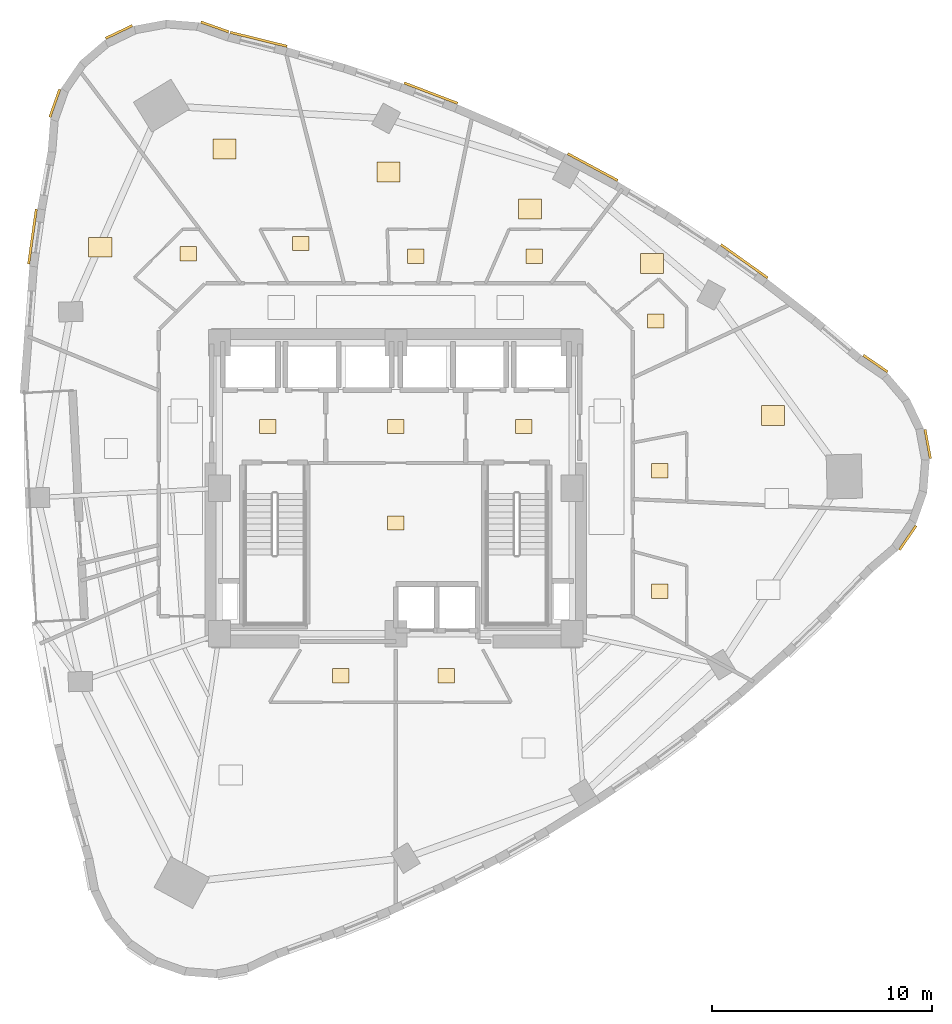
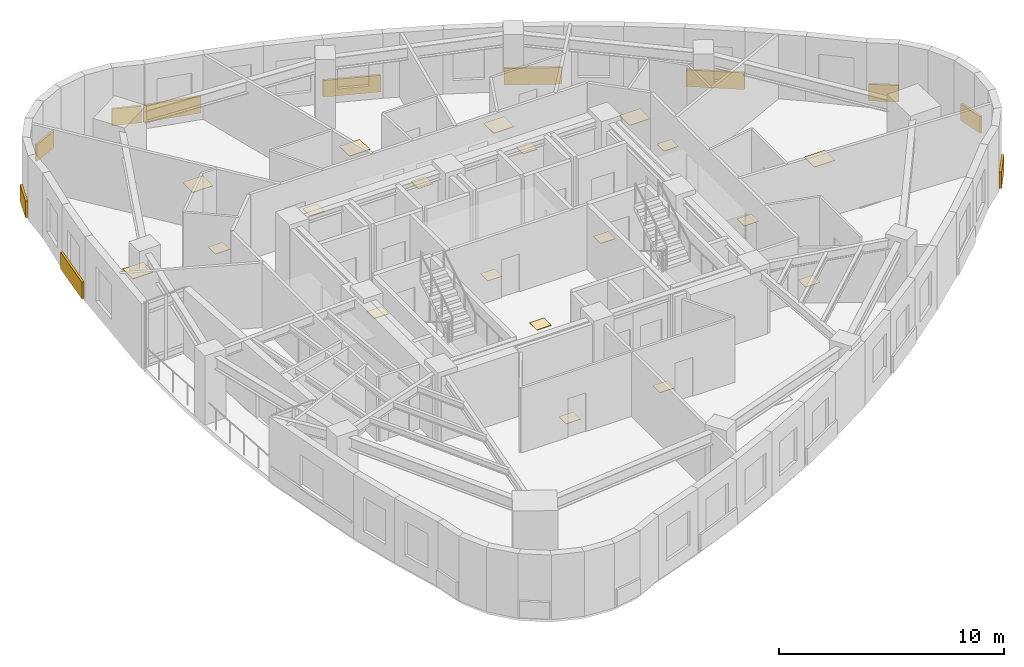
# One storey, part 12 of 12: 30 coverings.
"""IFC4 building model written with IfcOpenShell, lengths in metres."""

from ifc_helpers import new_model, si_unit, direction, frame, origin, origin_2d, place, context, subcontext, project, spatial, rectangle, extrude, material, layer, layer_set, type_object, element, save


model = new_model("IFC4")

# Units and contexts
model_context = context("Model", 3, precision=1e-05, world=origin(), true_north=direction((0.0, 1.0)))
body_context = subcontext(model_context, "Body", "Model", "MODEL_VIEW")
ifc_project = project(units=[si_unit("LENGTHUNIT", "METRE"), si_unit("AREAUNIT", "SQUARE_METRE"), si_unit("VOLUMEUNIT", "CUBIC_METRE"), si_unit("PLANEANGLEUNIT", "RADIAN"), si_unit("MASSUNIT", "GRAM", prefix="KILO")], contexts=[model_context])

# Site, building, storey
site_placement = place(None, origin())
site = spatial("IfcSite", under=ifc_project, at=site_placement, CompositionType="ELEMENT")
building_placement = place(site_placement, origin())
building = spatial("IfcBuilding", under=site, at=building_placement, Name="Ndelora Gate Hotel", CompositionType="ELEMENT")
storey_placement = place(building_placement, frame((0.0, 0.0, 138.5)))
storey = spatial("IfcBuildingStorey", under=building, at=storey_placement, Name="L34", CompositionType="ELEMENT", Elevation=138.5)

# Coverings
ifc_material_1 = material(Name="Terracotta Fired Clay Brick Slip Cladding", Category="masonry")
ifc_layer_1 = layer(ifc_material_1, 0.110107421875)
ifc_layer_set_1 = layer_set([ifc_layer_1], Name="Terracotta Fired Clay Brick Slip Cladding")
covering_type_1 = type_object("IfcCoveringType", Name="COV-CLAD-BRK", PredefinedType="CLADDING", material=ifc_layer_set_1)
for number, where, z_axis, x_axis, name in (
    (1, (-8.21044921875, 20.92626953125, 0.10009765625), (0.0, 0.0, 1.0), (-0.942641491092, 0.333806859234, 0.0), "L34 Rounded-Corner Brick Cladding Band 1"),
    (2, (-12.556884765625, 20.698486328125, 0.10009765625), (0.0, 0.0, 1.0), (0.90258528435, 0.430511096808, 0.0), "L34 Rounded-Corner Brick Cladding Band 4"),
    (3, (-15.468994140625, 17.464111328125, 0.10009765625), (0.0, 0.0, 1.0), (0.333806859234, 0.942641491092, 0.0), "L34 Rounded-Corner Brick Cladding Band 7"),
):
    element("IfcCovering", number, at=place(storey_placement, frame(where, z_axis=z_axis, x_axis=x_axis)), inside=storey, type_object=covering_type_1, Name=name, PredefinedType="CLADDING", context=body_context, shape_type="SweptSolid", body=[
        extrude(rectangle(XDim=1.3359375, YDim=0.110107421875, at=origin_2d()), origin(), (0.0, 0.0, 1.0), 0.89990234375),
    ])
covering_1_placement = place(storey_placement, frame((-16.48193359375, 11.41357421875, 0.10009765625), z_axis=(0.0, 0.0, 1.0), x_axis=(0.138654578758, 0.99034080386, 0.0)))
element("IfcCovering", 4, at=covering_1_placement, inside=storey, type_object=covering_type_1, Name="L34 Rounded-Corner Brick Cladding Band 10", PredefinedType="CLADDING", context=body_context, shape_type="SweptSolid", body=[
    extrude(rectangle(XDim=2.52001953125, YDim=0.110107421875, at=origin_2d()), origin(), (0.0, 0.0, 1.0), 0.89990234375),
])
for number, where, z_axis, x_axis, name in (
    (5, (23.22119140625, -2.24951171875, 0.10009765625), (0.0, 0.0, 1.0), (0.566406236925, 0.824126188622, 0.0), "L34 Rounded-Corner Brick Cladding Band 40"),
    (6, (24.126220703125, 2.0078125, 0.10009765625), (0.0, 0.0, 1.0), (-0.182235525492, 0.983254907564, 0.0), "L34 Rounded-Corner Brick Cladding Band 43"),
    (7, (21.755615234375, 5.65771484375, 0.10009765625), (0.0, 0.0, 1.0), (-0.824126188622, 0.566406236925, 0.0), "L34 Rounded-Corner Brick Cladding Band 46"),
):
    element("IfcCovering", number, at=place(storey_placement, frame(where, z_axis=z_axis, x_axis=x_axis)), inside=storey, type_object=covering_type_1, Name=name, PredefinedType="CLADDING", context=body_context, shape_type="SweptSolid", body=[
        extrude(rectangle(XDim=1.3359375, YDim=0.110107421875, at=origin_2d()), origin(), (0.0, 0.0, 1.0), 0.89990234375),
    ])
covering_2_placement = place(storey_placement, frame((15.8076171875, 10.294921875, 0.10009765625), z_axis=(0.0, 0.0, 1.0), x_axis=(-0.814520727071, 0.580134454392, 0.0)))
element("IfcCovering", 8, at=covering_2_placement, inside=storey, type_object=covering_type_1, Name="L34 Rounded-Corner Brick Cladding Band 49", PredefinedType="CLADDING", context=body_context, shape_type="SweptSolid", body=[
    extrude(rectangle(XDim=2.60791015625, YDim=0.110107421875, at=origin_2d()), origin(), (0.0, 0.0, 1.0), 0.89990234375),
])
covering_3_placement = place(storey_placement, frame((8.931640625, 14.568115234375, 0.10009765625), z_axis=(0.0, 0.0, 1.0), x_axis=(-0.881138447042, 0.472858369012, 0.0)))
element("IfcCovering", 9, at=covering_3_placement, inside=storey, type_object=covering_type_1, Name="L34 Rounded-Corner Brick Cladding Band 52", PredefinedType="CLADDING", context=body_context, shape_type="SweptSolid", body=[
    extrude(rectangle(XDim=2.580078125, YDim=0.110107421875, at=origin_2d()), origin(), (0.0, 0.0, 1.0), 0.89990234375),
])
covering_4_placement = place(storey_placement, frame((1.588623046875, 17.9248046875, 0.10009765625), z_axis=(0.0, 0.0, 1.0), x_axis=(-0.934017558691, 0.357227098715, 0.0)))
element("IfcCovering", 10, at=covering_4_placement, inside=storey, type_object=covering_type_1, Name="L34 Rounded-Corner Brick Cladding Band 55", PredefinedType="CLADDING", context=body_context, shape_type="SweptSolid", body=[
    extrude(rectangle(XDim=2.593994140625, YDim=0.110107421875, at=origin_2d()), origin(), (0.0, 0.0, 1.0), 0.89990234375),
])
covering_5_placement = place(storey_placement, frame((-6.22021484375, 20.3642578125, 0.10009765625), z_axis=(0.0, 0.0, 1.0), x_axis=(-0.970967515495, 0.239211379021, 0.0)))
element("IfcCovering", 11, at=covering_5_placement, inside=storey, type_object=covering_type_1, Name="L34 Rounded-Corner Brick Cladding Band 58", PredefinedType="CLADDING", context=body_context, shape_type="SweptSolid", body=[
    extrude(rectangle(XDim=2.65087890625, YDim=0.110107421875, at=origin_2d()), origin(), (0.0, 0.0, 1.0), 0.89990234375),
])
ifc_material_2 = material(Name="Engineered Highland Oak Parquet", Category="wood")
ifc_layer_2 = layer(ifc_material_2, 0.030029296875)
ifc_layer_set_2 = layer_set([ifc_layer_2], Name="Engineered Highland Oak Parquet")
covering_type_2 = type_object("IfcCoveringType", Name="COV-FLR-PARQ", PredefinedType="FLOORING", material=ifc_layer_set_2)
for number, where, z_axis, x_axis, name in (
    (12, (17.105224609375, 3.3017578125, 0.0), (0.0, 0.0, 1.0), (1.0, 0.0, 0.0), "L34 Club Superior Junior Suite 3704 Oak Parquet Flooring"),
    (13, (11.622802734375, 10.192626953125, 0.0), (0.0, 0.0, 1.0), (1.0, 0.0, 0.0), "L34 South Club Suite 3705 Oak Parquet Flooring"),
    (14, (6.093994140625, 12.674072265625, 0.0), (0.0, 0.0, 1.0), (1.0, 0.0, 0.0), "L34 Club King Guest Room 3706 Oak Parquet Flooring"),
    (15, (-0.337646484375, 14.3427734375, 0.0), (0.0, 0.0, 1.0), (1.0, 0.0, 0.0), "L34 Corner Club Suite 3707 Oak Parquet Flooring"),
    (16, (-7.763671875, 15.389892578125, 0.0), (0.0, 0.0, 1.0), (1.0, 0.0, 0.0), "L34 Club Twin Junior Suite 3708 Oak Parquet Flooring"),
    (17, (-13.40869140625, 10.92919921875, 0.0), (0.0, 0.0, 1.0), (1.0, 0.0, 0.0), "L34 Club Deluxe Guest Room 3709 Oak Parquet Flooring"),
):
    element("IfcCovering", number, at=place(storey_placement, frame(where, z_axis=z_axis, x_axis=x_axis)), inside=storey, type_object=covering_type_2, Name=name, PredefinedType="FLOORING", context=body_context, shape_type="SweptSolid", body=[
        extrude(rectangle(XDim=1.050048828125, YDim=0.89990234375, at=origin_2d()), origin(), (0.0, 0.0, 1.0), 0.030029296875),
    ])
ifc_material_3 = material(Name="Non-Slip Porcelain Wet-Room Tile", Category="ceramic")
ifc_layer_3 = layer(ifc_material_3, 0.02490234375)
ifc_layer_set_3 = layer_set([ifc_layer_3], Name="Non-Slip Porcelain Wet-Room Tile")
covering_type_3 = type_object("IfcCoveringType", Name="COV-FLR-TILE", PredefinedType="FLOORING", material=ifc_layer_set_3)
for number, where, z_axis, x_axis, name in (
    (18, (-5.800048828125, 2.800048828125, 0.0), (0.0, 0.0, 1.0), (1.0, 0.0, 0.0), "L34 Firefighting Lift Lobby West Porcelain Tile Flooring"),
    (19, (5.800048828125, 2.800048828125, 0.0), (0.0, 0.0, 1.0), (1.0, 0.0, 0.0), "L34 Firefighting Lift Lobby East Porcelain Tile Flooring"),
    (20, (0.0, 2.800048828125, 0.0), (0.0, 0.0, 1.0), (1.0, 0.0, 0.0), "L34 Central Passenger Lift Lobby Porcelain Tile Flooring"),
    (21, (0.0, -1.574951171875, 0.0), (0.0, 0.0, 1.0), (1.0, 0.0, 0.0), "L34 Core Electrical and Linen Service Store Porcelain Tile Flooring"),
    (22, (-2.507568359375, -8.510009765625, 0.0), (0.0, 0.0, 1.0), (1.0, 0.0, 0.0), "L34 En-suite Bathroom 3701 Porcelain Tile Flooring"),
    (23, (2.291748046875, -8.510009765625, 0.0), (0.0, 0.0, 1.0), (1.0, 0.0, 0.0), "L34 En-suite Bathroom 3702 Porcelain Tile Flooring"),
    (24, (11.97509765625, -4.665771484375, 0.0), (0.0, 0.0, 1.0), (1.0, 0.0, 0.0), "L34 En-suite Bathroom 3703 Porcelain Tile Flooring"),
    (25, (11.97509765625, 0.789306640625, 0.0), (0.0, 0.0, 1.0), (1.0, 0.0, 0.0), "L34 En-suite Bathroom 3704 Porcelain Tile Flooring"),
    (26, (11.7890625, 7.58837890625, 0.0), (0.0, 0.0, 1.0), (1.0, 0.0, 0.0), "L34 En-suite Bathroom 3705 Porcelain Tile Flooring"),
    (27, (6.282470703125, 10.52490234375, 0.0), (0.0, 0.0, 1.0), (1.0, 0.0, 0.0), "L34 En-suite Bathroom 3706 Porcelain Tile Flooring"),
    (28, (0.906494140625, 10.52490234375, 0.0), (0.0, 0.0, 1.0), (1.0, 0.0, 0.0), "L34 En-suite Bathroom 3707 Porcelain Tile Flooring"),
    (29, (-4.309326171875, 11.09912109375, 0.0), (0.0, 0.0, 1.0), (1.0, 0.0, 0.0), "L34 En-suite Bathroom 3708 Porcelain Tile Flooring"),
    (30, (-9.412109375, 10.635498046875, 0.0), (0.0, 0.0, 1.0), (1.0, 0.0, 0.0), "L34 En-suite Bathroom 3709 Porcelain Tile Flooring"),
):
    element("IfcCovering", number, at=place(storey_placement, frame(where, z_axis=z_axis, x_axis=x_axis)), inside=storey, type_object=covering_type_3, Name=name, PredefinedType="FLOORING", context=body_context, shape_type="SweptSolid", body=[
        extrude(rectangle(XDim=0.75, YDim=0.64990234375, at=origin_2d()), origin(), (0.0, 0.0, 1.0), 0.02490234375),
    ])

save(model, "model.ifc")
